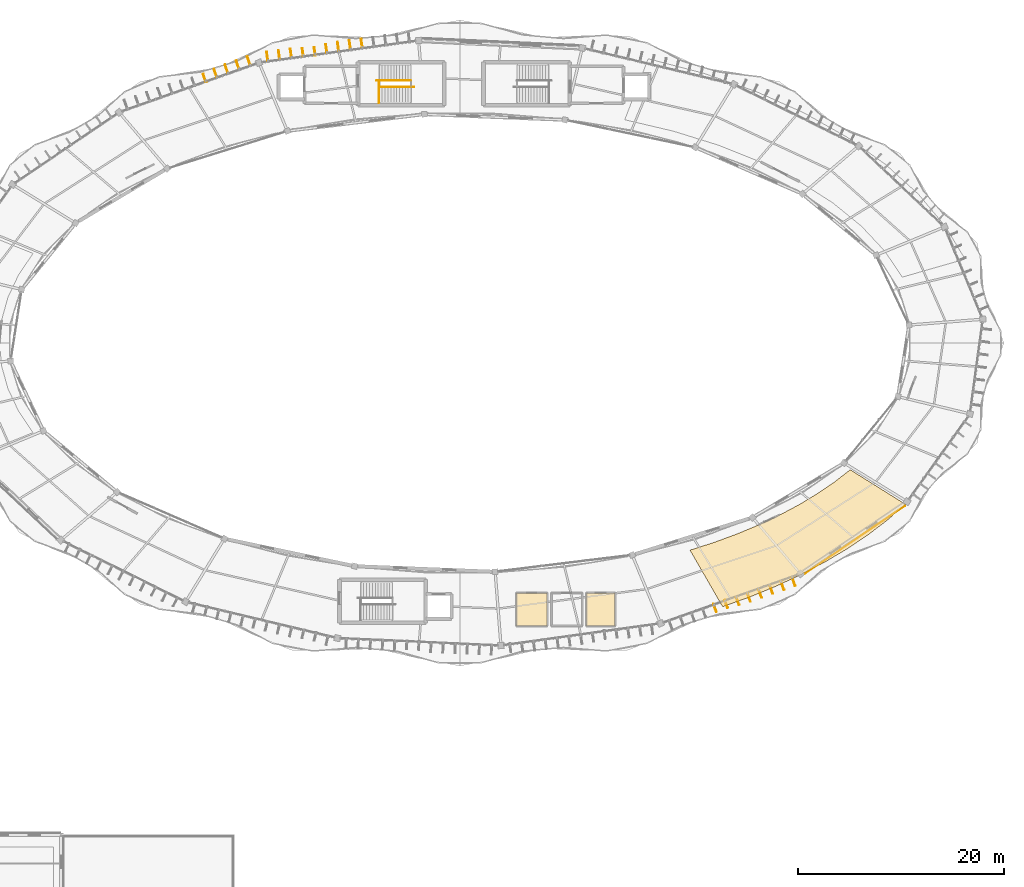
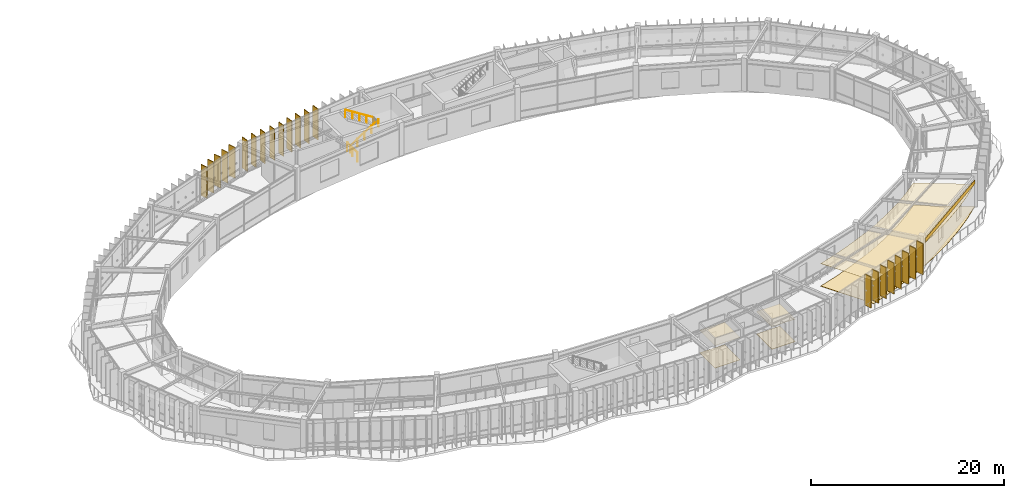
# One storey, part 81 of 83: 22 shading devices, 7 coverings, 3 railings.
"""IFC4 building model written with IfcOpenShell, lengths in metres."""

from ifc_helpers import new_model, si_unit, direction, frame, origin, origin_2d, place, context, subcontext, project, spatial, polyline, rectangle, circle, outline, extrude, material, layer, layer_set, type_object, element, save


model = new_model("IFC4")

# Units and contexts
model_context = context("Model", 3, precision=1e-05, world=origin(), true_north=direction((0.0, 1.0)))
body_context = subcontext(model_context, "Body", "Model", "MODEL_VIEW")
ifc_project = project(units=[si_unit("LENGTHUNIT", "METRE"), si_unit("AREAUNIT", "SQUARE_METRE"), si_unit("VOLUMEUNIT", "CUBIC_METRE"), si_unit("PLANEANGLEUNIT", "RADIAN"), si_unit("MASSUNIT", "GRAM", prefix="KILO"), si_unit("THERMODYNAMICTEMPERATUREUNIT", "KELVIN"), si_unit("POWERUNIT", "WATT")], contexts=[model_context])

# Site, building, storey
site_placement = place(None, origin())
site = spatial("IfcSite", under=ifc_project, at=site_placement, CompositionType="ELEMENT")
building_placement = place(site_placement, origin())
building = spatial("IfcBuilding", under=site, at=building_placement, Name="Darbajah Civic Hall", CompositionType="ELEMENT")
storey_placement = place(building_placement, frame((0.0, 0.0, 18.0)))
storey = spatial("IfcBuildingStorey", under=building, at=storey_placement, Name="L04", CompositionType="ELEMENT", Elevation=18.0)

# Railings
ifc_material_1 = material(Name="Brushed Bronze Stainless Steel", Category="steel")
railing_type_1 = type_object("IfcRailingType", Name="Brushed Bronze Handrail", PredefinedType="HANDRAIL", material=ifc_material_1)
railing_1_placement = place(storey_placement, frame((81.280029296875, 114.699951171875, 0.175048828125)))
element("IfcRailing", 1, at=railing_1_placement, inside=storey, type_object=railing_type_1, Name="ST01 L04 lower flight handrail", PredefinedType="HANDRAIL", context=body_context, shape_type="SweptSolid", body=[
    extrude(circle(Radius=0.02392578125, at=origin_2d()), frame((0.023193359375, 0.0, 0.910400390625), z_axis=(0.845926808262, 0.0, 0.533299010935), x_axis=(0.0, 1.0, 0.0)), (0.0, 0.0, 1.0), 3.917236328125),
    extrude(circle(Radius=0.02099609375, at=origin_2d()), origin(), (0.0, 0.0, 1.0), 0.867919921875),
    extrude(circle(Radius=0.02099609375, at=origin_2d()), frame((0.83984375, 0.0, 0.529541015625)), (0.0, 0.0, 1.0), 0.867919921875),
    extrude(circle(Radius=0.02099609375, at=origin_2d()), frame((1.679931640625, 0.0, 1.05908203125)), (0.0, 0.0, 1.0), 0.867919921875),
    extrude(circle(Radius=0.02099609375, at=origin_2d()), frame((2.52001953125, 0.0, 1.588623046875)), (0.0, 0.0, 1.0), 0.867919921875),
    extrude(circle(Radius=0.02099609375, at=origin_2d()), frame((3.35986328125, 0.0, 2.1181640625)), (0.0, 0.0, 1.0), 0.867919921875),
])
railing_2_placement = place(storey_placement, frame((84.360107421875, 115.300048828125, 2.27490234375)))
element("IfcRailing", 2, at=railing_2_placement, inside=storey, type_object=railing_type_1, Name="ST01 L04 upper flight handrail", PredefinedType="HANDRAIL", context=body_context, shape_type="SweptSolid", body=[
    extrude(circle(Radius=0.02392578125, at=origin_2d()), frame((-0.023193359375, 0.0, 0.910400390625), z_axis=(-0.845944288966, 0.0, 0.533271281775), x_axis=(0.0, -1.0, 0.0)), (0.0, 0.0, 1.0), 3.91748046875),
    extrude(circle(Radius=0.02099609375, at=origin_2d()), origin(), (0.0, 0.0, 1.0), 0.867919921875),
    extrude(circle(Radius=0.02099609375, at=origin_2d()), frame((-0.840087890625, 0.0, 0.529541015625)), (0.0, 0.0, 1.0), 0.867919921875),
    extrude(circle(Radius=0.02099609375, at=origin_2d()), frame((-1.68017578125, 0.0, 1.05908203125)), (0.0, 0.0, 1.0), 0.867919921875),
    extrude(circle(Radius=0.02099609375, at=origin_2d()), frame((-2.52001953125, 0.0, 1.588623046875)), (0.0, 0.0, 1.0), 0.867919921875),
    extrude(circle(Radius=0.02099609375, at=origin_2d()), frame((-3.360107421875, 0.0, 2.1181640625)), (0.0, 0.0, 1.0), 0.867919921875),
])

# Coverings
ifc_material_2 = material(Name="Honed Qatari Limestone Terrazzo", Category="masonry")
ifc_layer_1 = layer(ifc_material_2, 0.030029296875, Name="Honed Qatari Limestone Terrazzo")
ifc_layer_set_1 = layer_set([ifc_layer_1], Name="Honed Qatari Limestone Terrazzo")
covering_type_1 = type_object("IfcCoveringType", Name="Honed Qatari Limestone Terrazzo Flooring", PredefinedType="FLOORING", material=ifc_layer_set_1)
covering_1_placement = place(storey_placement, origin())
element("IfcCovering", 3, at=covering_1_placement, inside=storey, type_object=covering_type_1, Name="L04 stone terrazzo flooring L04-V1-01", PredefinedType="FLOORING", context=body_context, shape_type="SweptSolid", body=[
    extrude(outline(polyline([(114.64990234375, 64.16552734375), (117.303955078125, 65.116943359375), (119.852783203125, 66.160400390625), (122.286865234375, 67.2919921875), (124.596923828125, 68.507568359375), (126.77490234375, 69.802490234375), (128.812255859375, 71.172119140625), (130.701416015625, 72.611083984375), (132.435302734375, 74.114501953125), (127.05029296875, 77.4794921875), (125.53173828125, 76.298583984375), (123.877197265625, 75.168212890625), (122.09326171875, 74.092529296875), (120.18603515625, 73.0751953125), (118.162841796875, 72.12060546875), (116.03125, 71.231689453125), (113.79931640625, 70.412109375), (111.47509765625, 69.664794921875), (114.64990234375, 64.16552734375)])), origin(), (0.0, 0.0, 1.0), 0.030029296875),
])
covering_2_placement = place(storey_placement, origin())
element("IfcCovering", 4, at=covering_2_placement, inside=storey, type_object=covering_type_1, Name="L04 stone terrazzo flooring L04-WCM", PredefinedType="FLOORING", context=body_context, shape_type="SweptSolid", body=[
    extrude(outline(polyline([(94.60009765625, 62.300048828125), (97.60009765625, 62.300048828125), (97.60009765625, 65.5), (94.60009765625, 65.5), (94.60009765625, 62.300048828125)])), origin(), (0.0, 0.0, 1.0), 0.030029296875),
])
covering_3_placement = place(storey_placement, origin())
element("IfcCovering", 5, at=covering_3_placement, inside=storey, type_object=covering_type_1, Name="L04 stone terrazzo flooring L04-WCA", PredefinedType="FLOORING", context=body_context, shape_type="SweptSolid", body=[
    extrude(outline(polyline([(101.39990234375, 62.300048828125), (104.199951171875, 62.300048828125), (104.199951171875, 65.5), (101.39990234375, 65.5), (101.39990234375, 62.300048828125)])), origin(), (0.0, 0.0, 1.0), 0.030029296875),
])

# Railing
ifc_material_3 = material(Name="Brushed Bronze and Laminated Safety Glass", Category="glass")
railing_type_2 = type_object("IfcRailingType", Name="Interior Guard Balustrade", PredefinedType="BALUSTRADE", material=ifc_material_3)
railing_3_placement = place(storey_placement, frame((81.22998046875, 113.14990234375, 0.0)))
element("IfcRailing", 6, at=railing_3_placement, inside=storey, type_object=railing_type_2, Name="ST01 L04 stair-well edge guard", PredefinedType="BALUSTRADE", context=body_context, shape_type="SweptSolid", body=[
    extrude(circle(Radius=0.02392578125, at=origin_2d()), frame((0.0, 0.02734375, 1.09619140625), z_axis=(0.0, 1.0, 0.0), x_axis=(-1.0, 0.0, 0.0)), (0.0, 0.0, 1.0), 2.095458984375),
    extrude(circle(Radius=0.02099609375, at=origin_2d()), origin(), (0.0, 0.0, 1.0), 1.068115234375),
    extrude(circle(Radius=0.02099609375, at=origin_2d()), frame((0.0, 1.0751953125, 0.0)), (0.0, 0.0, 1.0), 1.068115234375),
    extrude(circle(Radius=0.02099609375, at=origin_2d()), frame((0.0, 2.150146484375, 0.0)), (0.0, 0.0, 1.0), 1.068115234375),
])

# Coverings
ifc_material_4 = material(Name="Qatari Desert Limestone Ashlar", Category="masonry")
ifc_layer_2 = layer(ifc_material_4, 0.044921875, Name="Qatari Desert Limestone Ashlar")
ifc_layer_set_2 = layer_set([ifc_layer_2], Name="Qatari Desert Limestone Ashlar")
covering_type_2 = type_object("IfcCoveringType", Name="Limestone Facade Cladding", PredefinedType="CLADDING", material=ifc_layer_set_2)
covering_4_placement = place(storey_placement, frame((0.0, 0.0, 3.02001953125)))
element("IfcCovering", 7, at=covering_4_placement, inside=storey, type_object=covering_type_2, Name="L04 stone frieze cladding EW-V1O-L04-17", PredefinedType="CLADDING", context=body_context, shape_type="SweptSolid", body=[
    extrude(outline(polyline([(122.61572265625, 67.381103515625), (132.3720703125, 73.988525390625), (132.397216796875, 73.951416015625), (122.64111328125, 67.343994140625), (122.61572265625, 67.381103515625)])), origin(), (0.0, 0.0, 1.0), 0.5),
])
ifc_material_5 = material(Name="Perforated Acoustic Gypsum Board")
ifc_layer_3 = layer(ifc_material_5, 0.02490234375, Name="Perforated Acoustic Gypsum Board")
ifc_layer_set_3 = layer_set([ifc_layer_3], Name="Perforated Acoustic Gypsum Board")
covering_type_3 = type_object("IfcCoveringType", Name="Perforated Acoustic Gypsum Ceiling", PredefinedType="CEILING", material=ifc_layer_set_3)
covering_5_placement = place(storey_placement, frame((0.0, 0.0, 2.85009765625)))
element("IfcCovering", 8, at=covering_5_placement, inside=storey, type_object=covering_type_3, Name="L04 acoustic suspended ceiling L04-V1-01", PredefinedType="CEILING", context=body_context, shape_type="SweptSolid", body=[
    extrude(outline(polyline([(114.64990234375, 64.16552734375), (117.303955078125, 65.116943359375), (119.852783203125, 66.160400390625), (122.286865234375, 67.2919921875), (124.596923828125, 68.507568359375), (126.77490234375, 69.802490234375), (128.812255859375, 71.172119140625), (130.701416015625, 72.611083984375), (132.435302734375, 74.114501953125), (127.05029296875, 77.4794921875), (125.53173828125, 76.298583984375), (123.877197265625, 75.168212890625), (122.09326171875, 74.092529296875), (120.18603515625, 73.0751953125), (118.162841796875, 72.12060546875), (116.03125, 71.231689453125), (113.79931640625, 70.412109375), (111.47509765625, 69.664794921875), (114.64990234375, 64.16552734375)])), origin(), (0.0, 0.0, 1.0), 0.02490234375),
])
covering_6_placement = place(storey_placement, frame((0.0, 0.0, 2.85009765625)))
element("IfcCovering", 9, at=covering_6_placement, inside=storey, type_object=covering_type_3, Name="L04 acoustic suspended ceiling L04-WCM", PredefinedType="CEILING", context=body_context, shape_type="SweptSolid", body=[
    extrude(outline(polyline([(94.60009765625, 62.300048828125), (97.60009765625, 62.300048828125), (97.60009765625, 65.5), (94.60009765625, 65.5), (94.60009765625, 62.300048828125)])), origin(), (0.0, 0.0, 1.0), 0.02490234375),
])
covering_7_placement = place(storey_placement, frame((0.0, 0.0, 2.85009765625)))
element("IfcCovering", 10, at=covering_7_placement, inside=storey, type_object=covering_type_3, Name="L04 acoustic suspended ceiling L04-WCA", PredefinedType="CEILING", context=body_context, shape_type="SweptSolid", body=[
    extrude(outline(polyline([(101.39990234375, 62.300048828125), (104.199951171875, 62.300048828125), (104.199951171875, 65.5), (101.39990234375, 65.5), (101.39990234375, 62.300048828125)])), origin(), (0.0, 0.0, 1.0), 0.02490234375),
])

# Shading devices
ifc_material_6 = material(Name="Bronze Anodised Aluminium and Teak Composite", Category="aluminium")
shading_device_type = type_object("IfcShadingDeviceType", Name="Vertical Bronze Timber Shading Fin", PredefinedType="USERDEFINED", material=ifc_material_6)
for number, where, z_axis, x_axis, name in (
    (11, (79.56494140625, 118.960693359375, 0.0), (0.0, 0.0, 1.0), (-0.137617420457, 0.990485459553, 0.0), "L04 vertical shading fin VF-05-5"),
    (12, (78.41748046875, 118.80126953125, 0.0), (0.0, 0.0, 1.0), (-0.137617420457, 0.990485459553, 0.0), "L04 vertical shading fin VF-05-6"),
    (13, (77.27001953125, 118.641845703125, 0.0), (0.0, 0.0, 1.0), (-0.137617420457, 0.990485459553, 0.0), "L04 vertical shading fin VF-05-7"),
    (14, (76.1318359375, 118.4150390625, 0.0), (0.0, 0.0, 1.0), (-0.137617420457, 0.990485459553, 0.0), "L04 vertical shading fin VF-05-8"),
    (15, (74.9990234375, 118.15087890625, 0.0), (0.0, 0.0, 1.0), (-0.137617420457, 0.990485459553, 0.0), "L04 vertical shading fin VF-05-9"),
    (16, (73.8447265625, 118.040283203125, 0.0), (0.0, 0.0, 1.0), (-0.137617420457, 0.990485459553, 0.0), "L04 vertical shading fin VF-05-10"),
    (17, (72.68017578125, 118.00439453125, 0.0), (0.0, 0.0, 1.0), (-0.137617420457, 0.990485459553, 0.0), "L04 vertical shading fin VF-05-11"),
    (18, (71.53271484375, 117.844970703125, 0.0), (0.0, 0.0, 1.0), (-0.137617420457, 0.990485459553, 0.0), "L04 vertical shading fin VF-05-12"),
    (19, (70.385009765625, 117.685791015625, 0.0), (0.0, 0.0, 1.0), (-0.137617420457, 0.990485459553, 0.0), "L04 vertical shading fin VF-05-13"),
    (20, (68.583251953125, 117.246337890625, 0.0), (0.0, 0.0, 1.0), (-0.334135882844, 0.94252491309, 0.0), "L04 vertical shading fin VF-06-1"),
    (21, (67.4970703125, 116.861328125, 0.0), (0.0, 0.0, 1.0), (-0.334135882844, 0.94252491309, 0.0), "L04 vertical shading fin VF-06-2"),
    (22, (66.41064453125, 116.476318359375, 0.0), (0.0, 0.0, 1.0), (-0.334135882844, 0.94252491309, 0.0), "L04 vertical shading fin VF-06-3"),
    (23, (65.34228515625, 116.041015625, 0.0), (0.0, 0.0, 1.0), (-0.334135882844, 0.94252491309, 0.0), "L04 vertical shading fin VF-06-4"),
    (24, (64.292236328125, 115.552978515625, 0.0), (0.0, 0.0, 1.0), (-0.334135882844, 0.94252491309, 0.0), "L04 vertical shading fin VF-06-5"),
    (25, (113.90771484375, 64.047119140625, 0.0), (0.0, 0.0, 1.0), (0.334135882844, -0.94252491309, 0.0), "L04 vertical shading fin VF-16-5"),
    (26, (114.993896484375, 64.431884765625, 0.0), (0.0, 0.0, 1.0), (0.334135882844, -0.94252491309, 0.0), "L04 vertical shading fin VF-16-6"),
    (27, (116.114013671875, 64.72216796875, 0.0), (0.0, 0.0, 1.0), (0.334135882844, -0.94252491309, 0.0), "L04 vertical shading fin VF-16-7"),
    (28, (117.220947265625, 65.049072265625, 0.0), (0.0, 0.0, 1.0), (0.334135882844, -0.94252491309, 0.0), "L04 vertical shading fin VF-16-8"),
    (29, (118.30712890625, 65.43408203125, 0.0), (0.0, 0.0, 1.0), (0.334135882844, -0.94252491309, 0.0), "L04 vertical shading fin VF-16-9"),
    (30, (119.3935546875, 65.819091796875, 0.0), (0.0, 0.0, 1.0), (0.334135882844, -0.94252491309, 0.0), "L04 vertical shading fin VF-16-10"),
    (31, (120.47998046875, 66.2041015625, 0.0), (0.0, 0.0, 1.0), (0.334135882844, -0.94252491309, 0.0), "L04 vertical shading fin VF-16-11"),
    (32, (121.566162109375, 66.589111328125, 0.0), (0.0, 0.0, 1.0), (0.334135882844, -0.94252491309, 0.0), "L04 vertical shading fin VF-16-12"),
):
    element("IfcShadingDevice", number, at=place(storey_placement, frame(where, z_axis=z_axis, x_axis=x_axis)), inside=storey, type_object=shading_device_type, Name=name, ObjectType="VERTICAL FIN", PredefinedType="USERDEFINED", context=body_context, shape_type="SweptSolid", body=[
        extrude(rectangle(XDim=0.85009765625, YDim=0.090087890625, at=origin_2d()), origin(), (0.0, 0.0, 1.0), 3.919921875),
    ])

save(model, "model.ifc")
